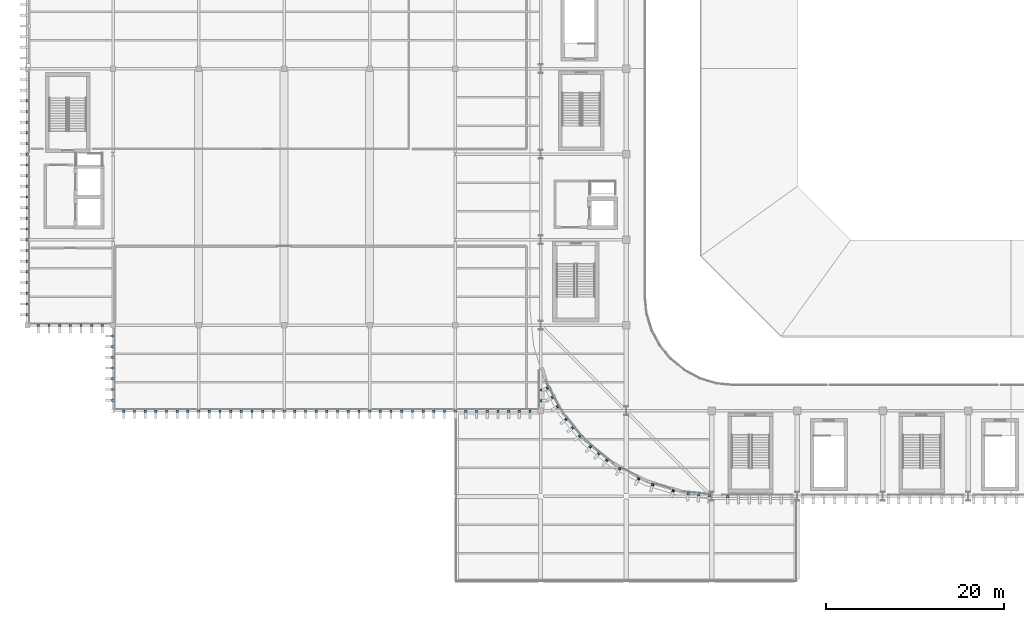
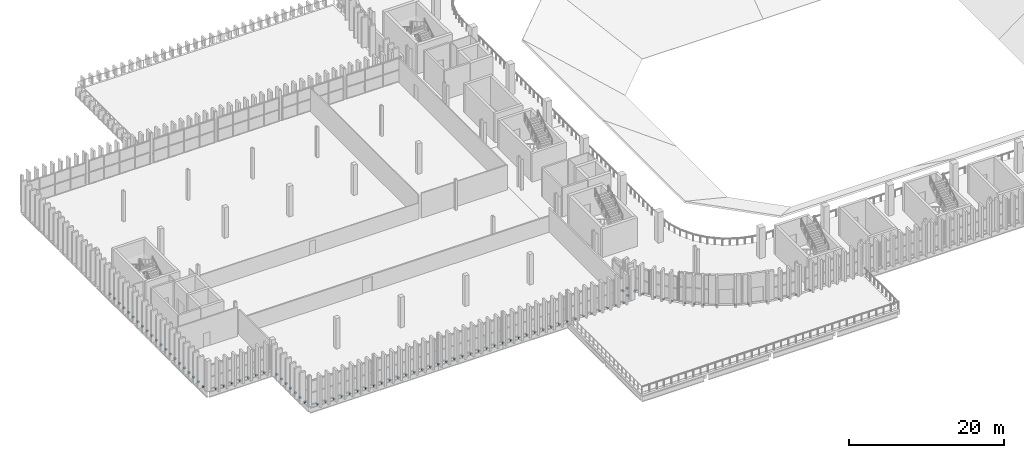
# One storey, part 72 of 99: 93 discrete accessories.
"""IFC4 building model written with IfcOpenShell, lengths in metres."""

from ifc_helpers import new_model, si_unit, direction, frame, origin, origin_2d, place, context, subcontext, project, spatial, rectangle, extrude, material, type_object, element, save


model = new_model("IFC4")

# Units and contexts
model_context = context("Model", 3, precision=1e-05, world=origin(), true_north=direction((0.0, 1.0)))
body_context = subcontext(model_context, "Body", "Model", "MODEL_VIEW")
ifc_project = project(units=[si_unit("LENGTHUNIT", "METRE"), si_unit("AREAUNIT", "SQUARE_METRE"), si_unit("VOLUMEUNIT", "CUBIC_METRE"), si_unit("PLANEANGLEUNIT", "RADIAN"), si_unit("MASSUNIT", "GRAM", prefix="KILO")], contexts=[model_context])

# Site, building, storey
site_placement = place(None, origin())
site = spatial("IfcSite", under=ifc_project, at=site_placement, CompositionType="ELEMENT")
building_placement = place(site_placement, origin())
building = spatial("IfcBuilding", under=site, at=building_placement, Name="Caelomonte Colonnade Arena", CompositionType="ELEMENT")
storey_placement = place(building_placement, frame((0.0, 0.0, 4.800048828125)))
storey = spatial("IfcBuildingStorey", under=building, at=storey_placement, Name="L01", CompositionType="ELEMENT", Elevation=4.800048828125)

# Discrete accessories
ifc_material = material(Name="Steel ASTM A572 Grade 50", Category="steel")
discrete_accessory_type = type_object("IfcDiscreteAccessoryType", Name="ENV-ACC-BRK", PredefinedType="BRACKET", material=ifc_material)
for number, where, z_axis, x_axis, name in (
    (1, (58.376708984375, 31.392578125, -0.2099609375), (0.0, 0.0, 1.0), (0.471396736826, -0.881921264348, 0.0), "V1 L01 fin support bracket 221"),
    (2, (58.9423828125, 30.334228515625, -0.2099609375), (0.0, 0.0, 1.0), (0.471396736826, -0.881921264348, 0.0), "V1 L01 fin support bracket 222"),
    (3, (59.508056640625, 29.27587890625, -0.2099609375), (0.0, 0.0, 1.0), (0.471396736826, -0.881921264348, 0.0), "V1 L01 fin support bracket 223"),
    (4, (60.46044921875, 27.8505859375, -0.2099609375), (0.0, 0.0, 1.0), (0.634413521313, -0.77299384472, 0.0), "V1 L01 fin support bracket 224"),
    (5, (61.2216796875, 26.9228515625, -0.2099609375), (0.0, 0.0, 1.0), (0.634413521313, -0.77299384472, 0.0), "V1 L01 fin support bracket 225"),
    (6, (61.983154296875, 25.995361328125, -0.2099609375), (0.0, 0.0, 1.0), (0.634413521313, -0.77299384472, 0.0), "V1 L01 fin support bracket 226"),
    (7, (63.1953125, 24.783203125, -0.2099609375), (0.0, 0.0, 1.0), (0.77299384472, -0.634413521313, 0.0), "V1 L01 fin support bracket 227"),
    (8, (64.122802734375, 24.021728515625, -0.2099609375), (0.0, 0.0, 1.0), (0.77299384472, -0.634413521313, 0.0), "V1 L01 fin support bracket 228"),
    (9, (65.050537109375, 23.260498046875, -0.2099609375), (0.0, 0.0, 1.0), (0.77299384472, -0.634413521313, 0.0), "V1 L01 fin support bracket 229"),
    (10, (66.475830078125, 22.30810546875, -0.2099609375), (0.0, 0.0, 1.0), (0.881921264348, -0.471396736826, 0.0), "V1 L01 fin support bracket 230"),
    (11, (68.592529296875, 21.1767578125, -0.2099609375), (0.0, 0.0, 1.0), (0.881921264348, -0.471396736826, 0.0), "V1 L01 fin support bracket 232"),
    (12, (70.17626953125, 20.5205078125, -0.2099609375), (0.0, 0.0, 1.0), (0.956942868907, -0.290276326364, 0.0), "V1 L01 fin support bracket 233"),
    (13, (72.472900390625, 19.823974609375, -0.2099609375), (0.0, 0.0, 1.0), (0.956942868907, -0.290276326364, 0.0), "V1 L01 fin support bracket 235"),
    (14, (74.154296875, 19.489501953125, -0.2099609375), (0.0, 0.0, 1.0), (0.995184897743, -0.098015403404, 0.0), "V1 L01 fin support bracket 236"),
    (15, (75.3486328125, 19.371826171875, -0.2099609375), (0.0, 0.0, 1.0), (0.995184897743, -0.098015403404, 0.0), "V1 L01 fin support bracket 237"),
    (16, (76.542724609375, 19.25439453125, -0.2099609375), (0.0, 0.0, 1.0), (0.995184897743, -0.098015403404, 0.0), "V1 L01 fin support bracket 238"),
    (17, (78.60009765625, 19.169921875, -0.2099609375), (0.0, 0.0, 1.0), (1.0, 0.0, 0.0), "V1 L01 fin support bracket 239"),
    (18, (-0.030029296875, 63.60009765625, -0.2099609375), (0.0, 0.0, 1.0), (0.0, -1.0, 0.0), "V5 L01 fin support bracket 19"),
    (19, (-0.030029296875, 62.39990234375, -0.2099609375), (0.0, 0.0, 1.0), (0.0, -1.0, 0.0), "V5 L01 fin support bracket 20"),
    (20, (-0.030029296875, 61.199951171875, -0.2099609375), (0.0, 0.0, 1.0), (0.0, -1.0, 0.0), "V5 L01 fin support bracket 21"),
    (21, (-0.030029296875, 60.0, -0.2099609375), (0.0, 0.0, 1.0), (0.0, -1.0, 0.0), "V5 L01 fin support bracket 22"),
    (22, (-0.030029296875, 58.800048828125, -0.2099609375), (0.0, 0.0, 1.0), (0.0, -1.0, 0.0), "V5 L01 fin support bracket 23"),
    (23, (-0.030029296875, 57.60009765625, -0.2099609375), (0.0, 0.0, 1.0), (0.0, -1.0, 0.0), "V5 L01 fin support bracket 24"),
    (24, (-0.030029296875, 56.39990234375, -0.2099609375), (0.0, 0.0, 1.0), (0.0, -1.0, 0.0), "V5 L01 fin support bracket 25"),
    (25, (-0.030029296875, 55.199951171875, -0.2099609375), (0.0, 0.0, 1.0), (0.0, -1.0, 0.0), "V5 L01 fin support bracket 26"),
    (26, (-0.030029296875, 54.0, -0.2099609375), (0.0, 0.0, 1.0), (0.0, -1.0, 0.0), "V5 L01 fin support bracket 27"),
    (27, (-0.030029296875, 52.800048828125, -0.2099609375), (0.0, 0.0, 1.0), (0.0, -1.0, 0.0), "V5 L01 fin support bracket 28"),
    (28, (-0.030029296875, 51.60009765625, -0.2099609375), (0.0, 0.0, 1.0), (0.0, -1.0, 0.0), "V5 L01 fin support bracket 29"),
    (29, (-0.030029296875, 50.39990234375, -0.2099609375), (0.0, 0.0, 1.0), (0.0, -1.0, 0.0), "V5 L01 fin support bracket 30"),
    (30, (-0.030029296875, 49.199951171875, -0.2099609375), (0.0, 0.0, 1.0), (0.0, -1.0, 0.0), "V5 L01 fin support bracket 31"),
    (31, (-0.030029296875, 48.0, -0.2099609375), (0.0, 0.0, 1.0), (0.0, -1.0, 0.0), "V5 L01 fin support bracket 32"),
    (32, (-0.030029296875, 46.800048828125, -0.2099609375), (0.0, 0.0, 1.0), (0.0, -1.0, 0.0), "V5 L01 fin support bracket 33"),
    (33, (-0.030029296875, 45.60009765625, -0.2099609375), (0.0, 0.0, 1.0), (0.0, -1.0, 0.0), "V5 L01 fin support bracket 34"),
    (34, (-0.030029296875, 44.39990234375, -0.2099609375), (0.0, 0.0, 1.0), (0.0, -1.0, 0.0), "V5 L01 fin support bracket 35"),
    (35, (-0.030029296875, 43.199951171875, -0.2099609375), (0.0, 0.0, 1.0), (0.0, -1.0, 0.0), "V5 L01 fin support bracket 36"),
    (36, (-0.030029296875, 42.0, -0.2099609375), (0.0, 0.0, 1.0), (0.0, -1.0, 0.0), "V5 L01 fin support bracket 37"),
    (37, (-0.030029296875, 40.800048828125, -0.2099609375), (0.0, 0.0, 1.0), (0.0, -1.0, 0.0), "V5 L01 fin support bracket 38"),
    (38, (-0.030029296875, 39.60009765625, -0.2099609375), (0.0, 0.0, 1.0), (0.0, -1.0, 0.0), "V5 L01 fin support bracket 39"),
    (39, (1.199951171875, 38.3701171875, -0.2099609375), (0.0, 0.0, 1.0), (1.0, 0.0, 0.0), "V5 L01 fin support bracket 40"),
    (40, (2.39990234375, 38.3701171875, -0.2099609375), (0.0, 0.0, 1.0), (1.0, 0.0, 0.0), "V5 L01 fin support bracket 41"),
    (41, (3.60009765625, 38.3701171875, -0.2099609375), (0.0, 0.0, 1.0), (1.0, 0.0, 0.0), "V5 L01 fin support bracket 42"),
    (42, (4.800048828125, 38.3701171875, -0.2099609375), (0.0, 0.0, 1.0), (1.0, 0.0, 0.0), "V5 L01 fin support bracket 43"),
    (43, (6.0, 38.3701171875, -0.2099609375), (0.0, 0.0, 1.0), (1.0, 0.0, 0.0), "V5 L01 fin support bracket 44"),
    (44, (7.199951171875, 38.3701171875, -0.2099609375), (0.0, 0.0, 1.0), (1.0, 0.0, 0.0), "V5 L01 fin support bracket 45"),
    (45, (8.39990234375, 38.3701171875, -0.2099609375), (0.0, 0.0, 1.0), (1.0, 0.0, 0.0), "V5 L01 fin support bracket 46"),
    (46, (9.570068359375, 37.199951171875, -0.2099609375), (0.0, 0.0, 1.0), (0.0, -1.0, 0.0), "V5 L01 fin support bracket 47"),
    (47, (9.570068359375, 36.0, -0.2099609375), (0.0, 0.0, 1.0), (0.0, -1.0, 0.0), "V5 L01 fin support bracket 48"),
    (48, (9.570068359375, 34.800048828125, -0.2099609375), (0.0, 0.0, 1.0), (0.0, -1.0, 0.0), "V5 L01 fin support bracket 49"),
    (49, (9.570068359375, 33.60009765625, -0.2099609375), (0.0, 0.0, 1.0), (0.0, -1.0, 0.0), "V5 L01 fin support bracket 50"),
    (50, (9.570068359375, 32.39990234375, -0.2099609375), (0.0, 0.0, 1.0), (0.0, -1.0, 0.0), "V5 L01 fin support bracket 51"),
    (51, (9.570068359375, 31.199951171875, -0.2099609375), (0.0, 0.0, 1.0), (0.0, -1.0, 0.0), "V5 L01 fin support bracket 52"),
    (52, (9.570068359375, 30.0, -0.2099609375), (0.0, 0.0, 1.0), (0.0, -1.0, 0.0), "V5 L01 fin support bracket 53"),
    (53, (10.800048828125, 28.77001953125, -0.2099609375), (0.0, 0.0, 1.0), (1.0, 0.0, 0.0), "V5 L01 fin support bracket 54"),
    (54, (12.0, 28.77001953125, -0.2099609375), (0.0, 0.0, 1.0), (1.0, 0.0, 0.0), "V5 L01 fin support bracket 55"),
    (55, (13.199951171875, 28.77001953125, -0.2099609375), (0.0, 0.0, 1.0), (1.0, 0.0, 0.0), "V5 L01 fin support bracket 56"),
    (56, (14.39990234375, 28.77001953125, -0.2099609375), (0.0, 0.0, 1.0), (1.0, 0.0, 0.0), "V5 L01 fin support bracket 57"),
    (57, (15.60009765625, 28.77001953125, -0.2099609375), (0.0, 0.0, 1.0), (1.0, 0.0, 0.0), "V5 L01 fin support bracket 58"),
    (58, (16.800048828125, 28.77001953125, -0.2099609375), (0.0, 0.0, 1.0), (1.0, 0.0, 0.0), "V5 L01 fin support bracket 59"),
    (59, (18.0, 28.77001953125, -0.2099609375), (0.0, 0.0, 1.0), (1.0, 0.0, 0.0), "V5 L01 fin support bracket 60"),
    (60, (19.199951171875, 28.77001953125, -0.2099609375), (0.0, 0.0, 1.0), (1.0, 0.0, 0.0), "V5 L01 fin support bracket 61"),
    (61, (20.39990234375, 28.77001953125, -0.2099609375), (0.0, 0.0, 1.0), (1.0, 0.0, 0.0), "V5 L01 fin support bracket 62"),
    (62, (21.60009765625, 28.77001953125, -0.2099609375), (0.0, 0.0, 1.0), (1.0, 0.0, 0.0), "V5 L01 fin support bracket 63"),
    (63, (22.800048828125, 28.77001953125, -0.2099609375), (0.0, 0.0, 1.0), (1.0, 0.0, 0.0), "V5 L01 fin support bracket 64"),
    (64, (24.0, 28.77001953125, -0.2099609375), (0.0, 0.0, 1.0), (1.0, 0.0, 0.0), "V5 L01 fin support bracket 65"),
    (65, (25.199951171875, 28.77001953125, -0.2099609375), (0.0, 0.0, 1.0), (1.0, 0.0, 0.0), "V5 L01 fin support bracket 66"),
    (66, (26.39990234375, 28.77001953125, -0.2099609375), (0.0, 0.0, 1.0), (1.0, 0.0, 0.0), "V5 L01 fin support bracket 67"),
    (67, (27.60009765625, 28.77001953125, -0.2099609375), (0.0, 0.0, 1.0), (1.0, 0.0, 0.0), "V5 L01 fin support bracket 68"),
    (68, (28.800048828125, 28.77001953125, -0.2099609375), (0.0, 0.0, 1.0), (1.0, 0.0, 0.0), "V5 L01 fin support bracket 69"),
    (69, (30.0, 28.77001953125, -0.2099609375), (0.0, 0.0, 1.0), (1.0, 0.0, 0.0), "V5 L01 fin support bracket 70"),
    (70, (31.199951171875, 28.77001953125, -0.2099609375), (0.0, 0.0, 1.0), (1.0, 0.0, 0.0), "V5 L01 fin support bracket 71"),
    (71, (32.39990234375, 28.77001953125, -0.2099609375), (0.0, 0.0, 1.0), (1.0, 0.0, 0.0), "V5 L01 fin support bracket 72"),
    (72, (33.60009765625, 28.77001953125, -0.2099609375), (0.0, 0.0, 1.0), (1.0, 0.0, 0.0), "V5 L01 fin support bracket 73"),
    (73, (34.800048828125, 28.77001953125, -0.2099609375), (0.0, 0.0, 1.0), (1.0, 0.0, 0.0), "V5 L01 fin support bracket 74"),
    (74, (36.0, 28.77001953125, -0.2099609375), (0.0, 0.0, 1.0), (1.0, 0.0, 0.0), "V5 L01 fin support bracket 75"),
    (75, (37.199951171875, 28.77001953125, -0.2099609375), (0.0, 0.0, 1.0), (1.0, 0.0, 0.0), "V5 L01 fin support bracket 76"),
    (76, (38.39990234375, 28.77001953125, -0.2099609375), (0.0, 0.0, 1.0), (1.0, 0.0, 0.0), "V5 L01 fin support bracket 77"),
    (77, (39.60009765625, 28.77001953125, -0.2099609375), (0.0, 0.0, 1.0), (1.0, 0.0, 0.0), "V5 L01 fin support bracket 78"),
    (78, (40.800048828125, 28.77001953125, -0.2099609375), (0.0, 0.0, 1.0), (1.0, 0.0, 0.0), "V5 L01 fin support bracket 79"),
    (79, (42.0, 28.77001953125, -0.2099609375), (0.0, 0.0, 1.0), (1.0, 0.0, 0.0), "V5 L01 fin support bracket 80"),
    (80, (43.199951171875, 28.77001953125, -0.2099609375), (0.0, 0.0, 1.0), (1.0, 0.0, 0.0), "V5 L01 fin support bracket 81"),
    (81, (44.39990234375, 28.77001953125, -0.2099609375), (0.0, 0.0, 1.0), (1.0, 0.0, 0.0), "V5 L01 fin support bracket 82"),
    (82, (45.60009765625, 28.77001953125, -0.2099609375), (0.0, 0.0, 1.0), (1.0, 0.0, 0.0), "V5 L01 fin support bracket 83"),
    (83, (46.800048828125, 28.77001953125, -0.2099609375), (0.0, 0.0, 1.0), (1.0, 0.0, 0.0), "V5 L01 fin support bracket 84"),
    (84, (48.0, 28.77001953125, -0.2099609375), (0.0, 0.0, 1.0), (1.0, 0.0, 0.0), "V5 L01 fin support bracket 85"),
    (85, (49.199951171875, 28.77001953125, -0.2099609375), (0.0, 0.0, 1.0), (1.0, 0.0, 0.0), "V5 L01 fin support bracket 86"),
    (86, (50.39990234375, 28.77001953125, -0.2099609375), (0.0, 0.0, 1.0), (1.0, 0.0, 0.0), "V5 L01 fin support bracket 87"),
    (87, (51.60009765625, 28.77001953125, -0.2099609375), (0.0, 0.0, 1.0), (1.0, 0.0, 0.0), "V5 L01 fin support bracket 88"),
    (88, (52.800048828125, 28.77001953125, -0.2099609375), (0.0, 0.0, 1.0), (1.0, 0.0, 0.0), "V5 L01 fin support bracket 89"),
    (89, (54.0, 28.77001953125, -0.2099609375), (0.0, 0.0, 1.0), (1.0, 0.0, 0.0), "V5 L01 fin support bracket 90"),
    (90, (55.199951171875, 28.77001953125, -0.2099609375), (0.0, 0.0, 1.0), (1.0, 0.0, 0.0), "V5 L01 fin support bracket 91"),
    (91, (56.39990234375, 28.77001953125, -0.2099609375), (0.0, 0.0, 1.0), (1.0, 0.0, 0.0), "V5 L01 fin support bracket 92"),
    (92, (57.6298828125, 29.938720703125, -0.2099609375), (0.0, 0.0, 1.0), (0.0, 1.0, 0.0), "V5 L01 fin support bracket 93"),
    (93, (57.6298828125, 31.138671875, -0.2099609375), (0.0, 0.0, 1.0), (0.0, 1.0, 0.0), "V5 L01 fin support bracket 94"),
):
    element("IfcDiscreteAccessory", number, at=place(storey_placement, frame(where, z_axis=z_axis, x_axis=x_axis)), inside=storey, type_object=discrete_accessory_type, Name=name, PredefinedType="BRACKET", context=body_context, shape_type="SweptSolid", body=[
        extrude(rectangle(XDim=0.260009765625, YDim=0.260009765625, at=origin_2d()), origin(), (0.0, 0.0, 1.0), 0.179931640625),
    ])

save(model, "model.ifc")
